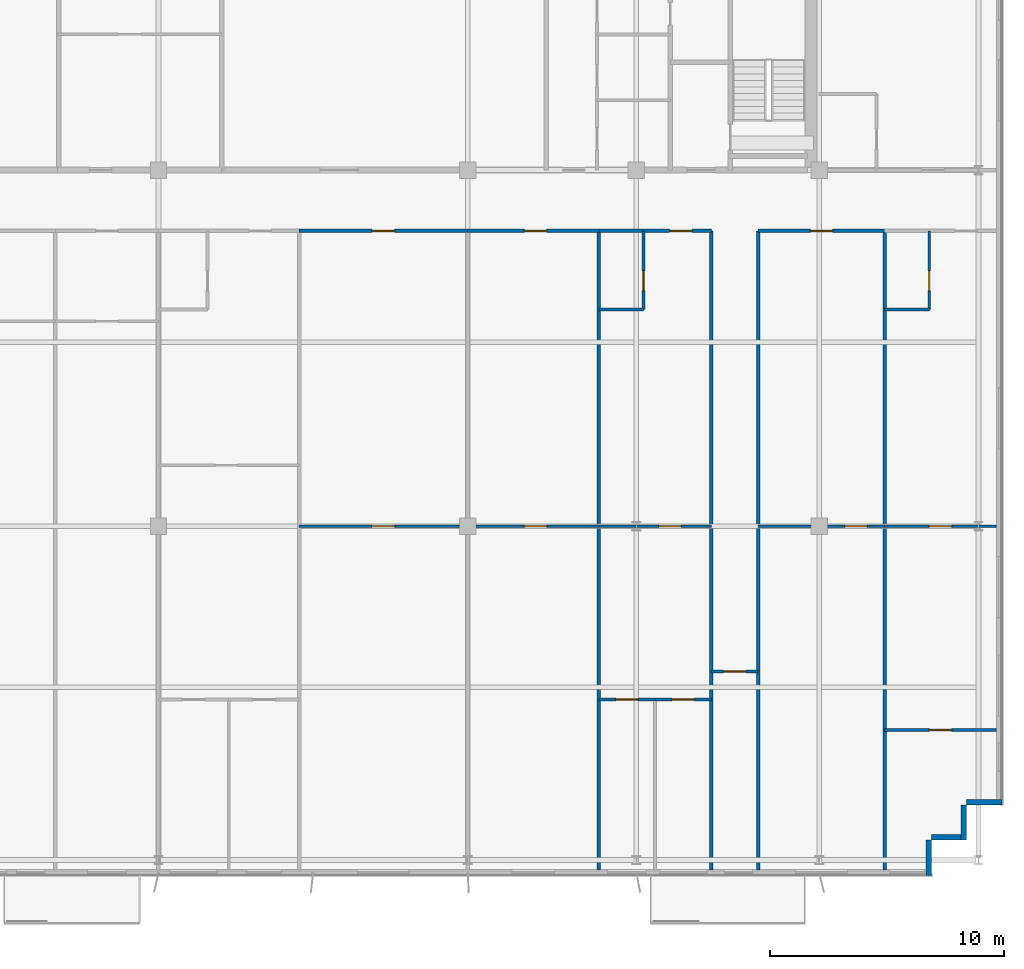
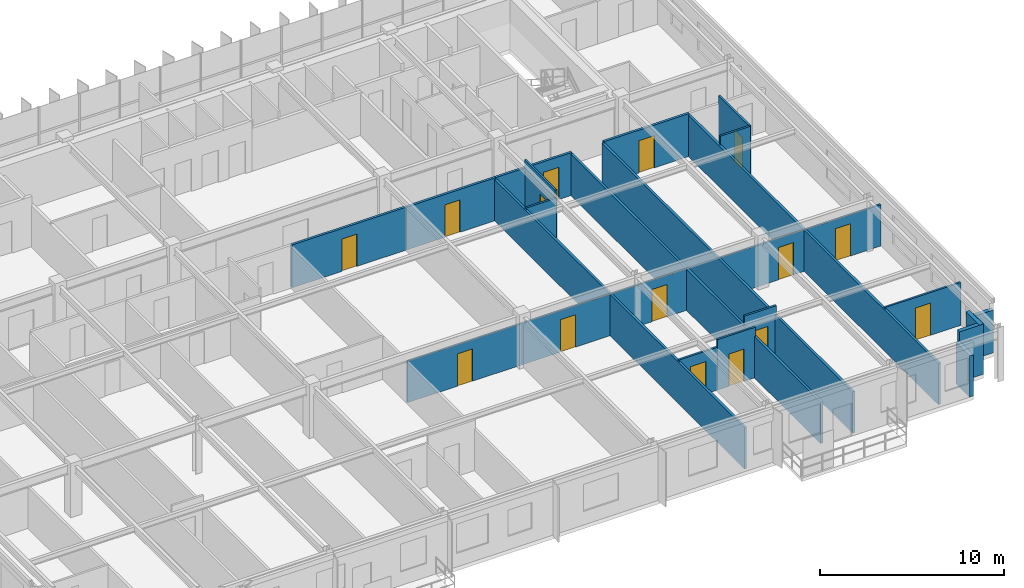
# One storey, part 16 of 21: 25 walls, 15 doors, 15 openings.
"""IFC4 building model written with IfcOpenShell, lengths in metres."""

from ifc_helpers import new_model, si_unit, direction, frame, frame_2d, origin, place, context, subcontext, project, spatial, rectangle, extrude, source, transform, mapped, material, layer, layer_set, type_object, element, fill, save


model = new_model("IFC4")

# Units and contexts
model_context = context("Model", 3, precision=1e-05, world=origin(), true_north=direction((0.0, 1.0)))
body_context = subcontext(model_context, "Body", "Model", "MODEL_VIEW")
ifc_project = project(units=[si_unit("LENGTHUNIT", "METRE"), si_unit("AREAUNIT", "SQUARE_METRE"), si_unit("VOLUMEUNIT", "CUBIC_METRE"), si_unit("PLANEANGLEUNIT", "RADIAN"), si_unit("MASSUNIT", "GRAM", prefix="KILO")], contexts=[model_context])

# Site, building, storey
site_placement = place(None, origin())
site = spatial("IfcSite", under=ifc_project, at=site_placement, CompositionType="ELEMENT")
building_placement = place(site_placement, origin())
building = spatial("IfcBuilding", under=site, at=building_placement, Name="Trelvane Seafront Commons", CompositionType="ELEMENT")
storey_placement = place(building_placement, frame((0.0, 0.0, 153.699951171875)))
storey = spatial("IfcBuildingStorey", under=building, at=storey_placement, Name="L40", CompositionType="ELEMENT", Elevation=153.699951171875)

# Walls
ifc_material_1 = material(Name="Precast concrete C40/50", Category="concrete")
ifc_layer_1 = layer(ifc_material_1, 0.239990234375, Name="ARCH-WALL-EXT240")
ifc_layer_set_1 = layer_set([ifc_layer_1], Name="Precast concrete C40/50")
wall_type_1 = type_object("IfcWallType", Name="ARCH-WALL-EXT240", PredefinedType="SOLIDWALL", material=ifc_layer_set_1)
wall_1_placement = place(storey_placement, frame((66.60009765625, 6.419921875, 0.0), z_axis=(0.0, 0.0, 1.0), x_axis=(-1.0, 0.0, 0.0)))
element("IfcWall", 1, at=wall_1_placement, inside=storey, type_object=wall_type_1, Name="EW-L40-00794", PredefinedType="SOLIDWALL", context=body_context, shape_type="SweptSolid", body=[
    extrude(rectangle(XDim=1.5, YDim=0.239990234375, at=frame_2d((0.75, 0.0))), origin(), (0.0, 0.0, 1.0), 2.85009765625),
])
for number, where, z_axis, x_axis, name in (
    (2, (64.97998046875, 6.300048828125, 0.0), (0.0, 0.0, 1.0), (0.0, -1.0, 0.0), "EW-L40-00795"),
    (3, (65.10009765625, 4.919921875, 0.0), (0.0, 0.0, 1.0), (-1.0, 0.0, 0.0), "EW-L40-00796"),
):
    element("IfcWall", number, at=place(storey_placement, frame(where, z_axis=z_axis, x_axis=x_axis)), inside=storey, type_object=wall_type_1, Name=name, PredefinedType="SOLIDWALL", context=body_context, shape_type="SweptSolid", body=[
        extrude(rectangle(XDim=1.5, YDim=0.239990234375, at=frame_2d((0.75, 0.0))), origin(), (0.0, 0.0, 1.0), 3.35009765625),
    ])
wall_2_placement = place(storey_placement, frame((63.47998046875, 4.800048828125, 0.0), z_axis=(0.0, 0.0, 1.0), x_axis=(0.0, -1.0, 0.0)))
element("IfcWall", 4, at=wall_2_placement, inside=storey, type_object=wall_type_1, Name="EW-L40-00797", PredefinedType="SOLIDWALL", context=body_context, shape_type="SweptSolid", body=[
    extrude(rectangle(XDim=1.5, YDim=0.239990234375, at=frame_2d((0.75, 0.0))), origin(), (0.0, 0.0, 1.0), 2.75),
])

# Wall, opening, door
ifc_material_2 = material(Name="Gypsum Drywall Acoustic Partition")
ifc_layer_2 = layer(ifc_material_2, 0.1201171875, Name="ARCH-WALL-PART120")
ifc_layer_set_2 = layer_set([ifc_layer_2], Name="Gypsum Drywall Acoustic Partition")
wall_type_2 = type_object("IfcWallType", Name="ARCH-WALL-PART120", PredefinedType="PARTITIONING", material=ifc_layer_set_2)
wall_3_placement = place(storey_placement, frame((36.60009765625, 18.199951171875, 0.0), z_axis=(0.0, 0.0, 1.0), x_axis=(1.0, 0.0, 0.0)))
wall_3 = element("IfcWall", 5, at=wall_3_placement, inside=storey, type_object=wall_type_2, Name="W-L40-U7-DIV-076", PredefinedType="PARTITIONING", context=body_context, shape_type="SweptSolid", body=[
    extrude(rectangle(XDim=7.199951171875, YDim=0.1201171875, at=frame_2d((3.60009765625, 0.0))), origin(), (0.0, 0.0, 1.0), 2.75),
])
opening_1_placement = place(wall_3_placement, frame((3.125, 0.0, 0.0)))
opening_1 = element("IfcOpeningElement", 6, at=opening_1_placement, cuts=wall_3, Name="Opening D-L40-46", PredefinedType="OPENING", context=body_context, shape_type="SweptSolid", body=[
    extrude(rectangle(XDim=0.949951171875, YDim=2.14990234375, at=frame_2d((0.47509765625, 1.074951171875))), frame((0.0, 0.070068359375, 0.0), z_axis=(0.0, -1.0, 0.0), x_axis=(1.0, 0.0, 0.0)), (0.0, 0.0, 1.0), 0.14013671875),
])
ifc_material_3 = material(Name="Acoustic timber door leaf", Category="wood")
door_type_1 = type_object("IfcDoorType", Name="ARCH-DR-INT950", OperationType="NOTDEFINED", PredefinedType="DOOR", material=ifc_material_3)
shared_shape_1 = source(origin(), body_context, "Body", "SweptSolid", [
    extrude(rectangle(XDim=0.949951171875, YDim=2.14990234375, at=frame_2d((0.47509765625, 1.074951171875))), frame((0.0, 0.02490234375, 0.0), z_axis=(0.0, -1.0, 0.0), x_axis=(1.0, 0.0, 0.0)), (0.0, 0.0, 1.0), 0.050048828125),
])
door_1_placement = place(opening_1_placement, origin())
door_1 = element("IfcDoor", 7, at=door_1_placement, inside=storey, type_object=door_type_1, Name="L40 Door 46", OperationType="SINGLE_SWING_RIGHT", OverallHeight=2.14990234375, OverallWidth=0.949951171875, PredefinedType="DOOR", context=body_context, shape_type="MappedRepresentation", body=[
    mapped(shared_shape_1, transform((0.0, 0.0, 0.0), x_axis=(1.0, 0.0, 0.0), y_axis=(0.0, 1.0, 0.0), z_axis=(0.0, 0.0, 1.0), scale=1.0)),
])
fill(opening_1, door_1)

wall_4_placement = place(storey_placement, frame((43.800048828125, 18.199951171875, 0.0), z_axis=(0.0, 0.0, 1.0), x_axis=(1.0, 0.0, 0.0)))
wall_4 = element("IfcWall", 8, at=wall_4_placement, inside=storey, type_object=wall_type_2, Name="W-L40-U8-DIV-078", PredefinedType="PARTITIONING", context=body_context, shape_type="SweptSolid", body=[
    extrude(rectangle(XDim=5.599853515625, YDim=0.1201171875, at=frame_2d((2.7998046875, 0.0))), origin(), (0.0, 0.0, 1.0), 2.75),
])
opening_2_placement = place(wall_4_placement, frame((2.41796875, 0.0, 0.0)))
opening_2 = element("IfcOpeningElement", 9, at=opening_2_placement, cuts=wall_4, Name="Opening D-L40-48", PredefinedType="OPENING", context=body_context, shape_type="SweptSolid", body=[
    extrude(rectangle(XDim=0.949951171875, YDim=2.14990234375, at=frame_2d((0.47509765625, 1.074951171875))), frame((0.0, 0.070068359375, 0.0), z_axis=(0.0, -1.0, 0.0), x_axis=(1.0, 0.0, 0.0)), (0.0, 0.0, 1.0), 0.14013671875),
])
door_2_placement = place(opening_2_placement, origin())
door_2 = element("IfcDoor", 10, at=door_2_placement, inside=storey, type_object=door_type_1, Name="L40 Door 48", OperationType="SINGLE_SWING_RIGHT", OverallHeight=2.14990234375, OverallWidth=0.949951171875, PredefinedType="DOOR", context=body_context, shape_type="MappedRepresentation", body=[
    mapped(shared_shape_1, transform((0.0, 0.0, 0.0), x_axis=(1.0, 0.0, 0.0), y_axis=(0.0, 1.0, 0.0), z_axis=(0.0, 0.0, 1.0), scale=1.0)),
])
fill(opening_2, door_2)

wall_5_placement = place(storey_placement, frame((49.39990234375, 18.199951171875, 0.0), z_axis=(0.0, 0.0, 1.0), x_axis=(1.0, 0.0, 0.0)))
wall_5 = element("IfcWall", 11, at=wall_5_placement, inside=storey, type_object=wall_type_2, Name="W-L40-U9-KL-079", PredefinedType="PARTITIONING", context=body_context, shape_type="SweptSolid", body=[
    extrude(rectangle(XDim=4.800048828125, YDim=0.1201171875, at=frame_2d((2.39990234375, 0.0))), origin(), (0.0, 0.0, 1.0), 2.75),
])
opening_3_placement = place(wall_5_placement, frame((2.56103515625, 0.0, 0.0)))
opening_3 = element("IfcOpeningElement", 12, at=opening_3_placement, cuts=wall_5, Name="Opening D-L40-49", PredefinedType="OPENING", context=body_context, shape_type="SweptSolid", body=[
    extrude(rectangle(XDim=0.949951171875, YDim=2.14990234375, at=frame_2d((0.47509765625, 1.074951171875))), frame((0.0, 0.070068359375, 0.0), z_axis=(0.0, -1.0, 0.0), x_axis=(1.0, 0.0, 0.0)), (0.0, 0.0, 1.0), 0.14013671875),
])
door_3_placement = place(opening_3_placement, origin())
door_3 = element("IfcDoor", 13, at=door_3_placement, inside=storey, type_object=door_type_1, Name="L40 Door 49", OperationType="SINGLE_SWING_LEFT", OverallHeight=2.14990234375, OverallWidth=0.949951171875, PredefinedType="DOOR", context=body_context, shape_type="MappedRepresentation", body=[
    mapped(shared_shape_1, transform((0.0, 0.0, 0.0), x_axis=(1.0, 0.0, 0.0), y_axis=(0.0, 1.0, 0.0), z_axis=(0.0, 0.0, 1.0), scale=1.0)),
])
fill(opening_3, door_3)

wall_6_placement = place(storey_placement, frame((51.300048828125, 27.449951171875, 0.0), z_axis=(0.0, 0.0, 1.0), x_axis=(0.0, 1.0, 0.0)))
wall_6 = element("IfcWall", 14, at=wall_6_placement, inside=storey, type_object=wall_type_2, Name="W-L40-U9-BE-080", PredefinedType="PARTITIONING", context=body_context, shape_type="SweptSolid", body=[
    extrude(rectangle(XDim=3.35009765625, YDim=0.1201171875, at=frame_2d((1.675048828125, 0.0))), origin(), (0.0, 0.0, 1.0), 3.35009765625),
])
opening_4_placement = place(wall_6_placement, frame((0.800048828125, 0.0, 0.0)))
opening_4 = element("IfcOpeningElement", 15, at=opening_4_placement, cuts=wall_6, Name="Opening D-L40-50", PredefinedType="OPENING", context=body_context, shape_type="SweptSolid", body=[
    extrude(rectangle(XDim=0.85009765625, YDim=2.10009765625, at=frame_2d((0.425048828125, 1.050048828125))), frame((0.0, 0.070068359375, 0.0), z_axis=(0.0, -1.0, 0.0), x_axis=(1.0, 0.0, 0.0)), (0.0, 0.0, 1.0), 0.14013671875),
])
door_type_2 = type_object("IfcDoorType", Name="ARCH-DR-INT850", OperationType="NOTDEFINED", PredefinedType="DOOR", material=ifc_material_3)
shared_shape_2 = source(origin(), body_context, "Body", "SweptSolid", [
    extrude(rectangle(XDim=0.85009765625, YDim=2.10009765625, at=frame_2d((0.425048828125, 1.050048828125))), frame((0.0, 0.02490234375, 0.0), z_axis=(0.0, -1.0, 0.0), x_axis=(1.0, 0.0, 0.0)), (0.0, 0.0, 1.0), 0.050048828125),
])
door_4_placement = place(opening_4_placement, origin())
door_4 = element("IfcDoor", 16, at=door_4_placement, inside=storey, type_object=door_type_2, Name="L40 Door 50", OperationType="SINGLE_SWING_RIGHT", OverallHeight=2.10009765625, OverallWidth=0.85009765625, PredefinedType="DOOR", context=body_context, shape_type="MappedRepresentation", body=[
    mapped(shared_shape_2, transform((0.0, 0.0, 0.0), x_axis=(1.0, 0.0, 0.0), y_axis=(0.0, 1.0, 0.0), z_axis=(0.0, 0.0, 1.0), scale=1.0)),
])
fill(opening_4, door_4)

# Wall
wall_7_placement = place(storey_placement, frame((49.39990234375, 27.449951171875, 0.0), z_axis=(0.0, 0.0, 1.0), x_axis=(1.0, 0.0, 0.0)))
element("IfcWall", 17, at=wall_7_placement, inside=storey, type_object=wall_type_2, Name="W-L40-U9-BS-081", PredefinedType="PARTITIONING", context=body_context, shape_type="SweptSolid", body=[
    extrude(rectangle(XDim=1.900146484375, YDim=0.1201171875, at=frame_2d((0.9501953125, 0.0))), origin(), (0.0, 0.0, 1.0), 2.85009765625),
])

# Wall, opening, door
wall_8_placement = place(storey_placement, frame((49.39990234375, 10.800048828125, 0.0), z_axis=(0.0, 0.0, 1.0), x_axis=(1.0, 0.0, 0.0)))
wall_8 = element("IfcWall", 18, at=wall_8_placement, inside=storey, type_object=wall_type_2, Name="W-L40-U9-YM-1-083", PredefinedType="PARTITIONING", context=body_context, shape_type="SweptSolid", body=[
    extrude(rectangle(XDim=2.400146484375, YDim=0.1201171875, at=frame_2d((1.2001953125, 0.0))), origin(), (0.0, 0.0, 1.0), 2.85009765625),
])
opening_5_placement = place(wall_8_placement, frame((0.72509765625, 0.0, 0.0)))
opening_5 = element("IfcOpeningElement", 19, at=opening_5_placement, cuts=wall_8, Name="Opening D-L40-52", PredefinedType="OPENING", context=body_context, shape_type="SweptSolid", body=[
    extrude(rectangle(XDim=0.949951171875, YDim=2.14990234375, at=frame_2d((0.47509765625, 1.074951171875))), frame((0.0, 0.070068359375, 0.0), z_axis=(0.0, -1.0, 0.0), x_axis=(1.0, 0.0, 0.0)), (0.0, 0.0, 1.0), 0.14013671875),
])
door_5_placement = place(opening_5_placement, origin())
door_5 = element("IfcDoor", 20, at=door_5_placement, inside=storey, type_object=door_type_1, Name="L40 Door 52", OperationType="SINGLE_SWING_RIGHT", OverallHeight=2.14990234375, OverallWidth=0.949951171875, PredefinedType="DOOR", context=body_context, shape_type="MappedRepresentation", body=[
    mapped(shared_shape_1, transform((0.0, 0.0, 0.0), x_axis=(1.0, 0.0, 0.0), y_axis=(0.0, 1.0, 0.0), z_axis=(0.0, 0.0, 1.0), scale=1.0)),
])
fill(opening_5, door_5)

wall_9_placement = place(storey_placement, frame((51.800048828125, 10.800048828125, 0.0), z_axis=(0.0, 0.0, 1.0), x_axis=(1.0, 0.0, 0.0)))
wall_9 = element("IfcWall", 21, at=wall_9_placement, inside=storey, type_object=wall_type_2, Name="W-L40-U9-YM-2-084", PredefinedType="PARTITIONING", context=body_context, shape_type="SweptSolid", body=[
    extrude(rectangle(XDim=2.39990234375, YDim=0.1201171875, at=frame_2d((1.199951171875, 0.0))), origin(), (0.0, 0.0, 1.0), 3.35009765625),
])
opening_6_placement = place(wall_9_placement, frame((0.72509765625, 0.0, 0.0)))
opening_6 = element("IfcOpeningElement", 22, at=opening_6_placement, cuts=wall_9, Name="Opening D-L40-53", PredefinedType="OPENING", context=body_context, shape_type="SweptSolid", body=[
    extrude(rectangle(XDim=0.949951171875, YDim=2.14990234375, at=frame_2d((0.47509765625, 1.074951171875))), frame((0.0, 0.070068359375, 0.0), z_axis=(0.0, -1.0, 0.0), x_axis=(1.0, 0.0, 0.0)), (0.0, 0.0, 1.0), 0.14013671875),
])
door_6_placement = place(opening_6_placement, origin())
door_6 = element("IfcDoor", 23, at=door_6_placement, inside=storey, type_object=door_type_1, Name="L40 Door 53", OperationType="SINGLE_SWING_LEFT", OverallHeight=2.14990234375, OverallWidth=0.949951171875, PredefinedType="DOOR", context=body_context, shape_type="MappedRepresentation", body=[
    mapped(shared_shape_1, transform((0.0, 0.0, 0.0), x_axis=(1.0, 0.0, 0.0), y_axis=(0.0, 1.0, 0.0), z_axis=(0.0, 0.0, 1.0), scale=1.0)),
])
fill(opening_6, door_6)

wall_10_placement = place(storey_placement, frame((54.199951171875, 12.0, 0.0), z_axis=(0.0, 0.0, 1.0), x_axis=(1.0, 0.0, 0.0)))
wall_10 = element("IfcWall", 24, at=wall_10_placement, inside=storey, type_object=wall_type_2, Name="W-L40-ARM-END-10-088", PredefinedType="PARTITIONING", context=body_context, shape_type="SweptSolid", body=[
    extrude(rectangle(XDim=2.0, YDim=0.1201171875, at=frame_2d((1.0, 0.0))), origin(), (0.0, 0.0, 1.0), 3.35009765625),
])
opening_7_placement = place(wall_10_placement, frame((0.52001953125, 0.0, 0.0)))
opening_7 = element("IfcOpeningElement", 25, at=opening_7_placement, cuts=wall_10, Name="Opening D-L40-54", PredefinedType="OPENING", context=body_context, shape_type="SweptSolid", body=[
    extrude(rectangle(XDim=0.949951171875, YDim=2.14990234375, at=frame_2d((0.47509765625, 1.074951171875))), frame((0.0, 0.070068359375, 0.0), z_axis=(0.0, -1.0, 0.0), x_axis=(1.0, 0.0, 0.0)), (0.0, 0.0, 1.0), 0.14013671875),
])
door_7_placement = place(opening_7_placement, origin())
door_7 = element("IfcDoor", 26, at=door_7_placement, inside=storey, type_object=door_type_1, Name="L40 Door 54", OperationType="SINGLE_SWING_RIGHT", OverallHeight=2.14990234375, OverallWidth=0.949951171875, PredefinedType="DOOR", context=body_context, shape_type="MappedRepresentation", body=[
    mapped(shared_shape_1, transform((0.0, 0.0, 0.0), x_axis=(1.0, 0.0, 0.0), y_axis=(0.0, 1.0, 0.0), z_axis=(0.0, 0.0, 1.0), scale=1.0)),
])
fill(opening_7, door_7)

wall_11_placement = place(storey_placement, frame((56.199951171875, 18.199951171875, 0.0), z_axis=(0.0, 0.0, 1.0), x_axis=(1.0, 0.0, 0.0)))
wall_11 = element("IfcWall", 27, at=wall_11_placement, inside=storey, type_object=wall_type_2, Name="W-L40-U11-DIV-090", PredefinedType="PARTITIONING", context=body_context, shape_type="SweptSolid", body=[
    extrude(rectangle(XDim=5.400146484375, YDim=0.1201171875, at=frame_2d((2.7001953125, 0.0))), origin(), (0.0, 0.0, 1.0), 2.75),
])
opening_8_placement = place(wall_11_placement, frame((3.700927734375, 0.0, 0.0)))
opening_8 = element("IfcOpeningElement", 28, at=opening_8_placement, cuts=wall_11, Name="Opening D-L40-56", PredefinedType="OPENING", context=body_context, shape_type="SweptSolid", body=[
    extrude(rectangle(XDim=0.949951171875, YDim=2.14990234375, at=frame_2d((0.47509765625, 1.074951171875))), frame((0.0, 0.070068359375, 0.0), z_axis=(0.0, -1.0, 0.0), x_axis=(1.0, 0.0, 0.0)), (0.0, 0.0, 1.0), 0.14013671875),
])
door_8_placement = place(opening_8_placement, origin())
door_8 = element("IfcDoor", 29, at=door_8_placement, inside=storey, type_object=door_type_1, Name="L40 Door 56", OperationType="SINGLE_SWING_RIGHT", OverallHeight=2.14990234375, OverallWidth=0.949951171875, PredefinedType="DOOR", context=body_context, shape_type="MappedRepresentation", body=[
    mapped(shared_shape_1, transform((0.0, 0.0, 0.0), x_axis=(1.0, 0.0, 0.0), y_axis=(0.0, 1.0, 0.0), z_axis=(0.0, 0.0, 1.0), scale=1.0)),
])
fill(opening_8, door_8)

wall_12_placement = place(storey_placement, frame((61.60009765625, 18.199951171875, 0.0), z_axis=(0.0, 0.0, 1.0), x_axis=(1.0, 0.0, 0.0)))
wall_12 = element("IfcWall", 30, at=wall_12_placement, inside=storey, type_object=wall_type_2, Name="W-L40-U12-KL-091", PredefinedType="PARTITIONING", context=body_context, shape_type="SweptSolid", body=[
    extrude(rectangle(XDim=4.760009765625, YDim=0.1201171875, at=frame_2d((2.3798828125, 0.0))), origin(), (0.0, 0.0, 1.0), 2.75),
])
opening_9_placement = place(wall_12_placement, frame((1.905029296875, 0.0, 0.0)))
opening_9 = element("IfcOpeningElement", 31, at=opening_9_placement, cuts=wall_12, Name="Opening D-L40-57", PredefinedType="OPENING", context=body_context, shape_type="SweptSolid", body=[
    extrude(rectangle(XDim=0.949951171875, YDim=2.14990234375, at=frame_2d((0.47509765625, 1.074951171875))), frame((0.0, 0.070068359375, 0.0), z_axis=(0.0, -1.0, 0.0), x_axis=(1.0, 0.0, 0.0)), (0.0, 0.0, 1.0), 0.14013671875),
])
door_9_placement = place(opening_9_placement, origin())
door_9 = element("IfcDoor", 32, at=door_9_placement, inside=storey, type_object=door_type_1, Name="L40 Door 57", OperationType="SINGLE_SWING_LEFT", OverallHeight=2.14990234375, OverallWidth=0.949951171875, PredefinedType="DOOR", context=body_context, shape_type="MappedRepresentation", body=[
    mapped(shared_shape_1, transform((0.0, 0.0, 0.0), x_axis=(1.0, 0.0, 0.0), y_axis=(0.0, 1.0, 0.0), z_axis=(0.0, 0.0, 1.0), scale=1.0)),
])
fill(opening_9, door_9)

wall_13_placement = place(storey_placement, frame((63.5, 27.449951171875, 0.0), z_axis=(0.0, 0.0, 1.0), x_axis=(0.0, 1.0, 0.0)))
wall_13 = element("IfcWall", 33, at=wall_13_placement, inside=storey, type_object=wall_type_2, Name="W-L40-U12-BE-092", PredefinedType="PARTITIONING", context=body_context, shape_type="SweptSolid", body=[
    extrude(rectangle(XDim=3.35009765625, YDim=0.1201171875, at=frame_2d((1.675048828125, 0.0))), origin(), (0.0, 0.0, 1.0), 3.35009765625),
])
opening_10_placement = place(wall_13_placement, frame((0.800048828125, 0.0, 0.0)))
opening_10 = element("IfcOpeningElement", 34, at=opening_10_placement, cuts=wall_13, Name="Opening D-L40-58", PredefinedType="OPENING", context=body_context, shape_type="SweptSolid", body=[
    extrude(rectangle(XDim=0.85009765625, YDim=2.10009765625, at=frame_2d((0.425048828125, 1.050048828125))), frame((0.0, 0.070068359375, 0.0), z_axis=(0.0, -1.0, 0.0), x_axis=(1.0, 0.0, 0.0)), (0.0, 0.0, 1.0), 0.14013671875),
])
door_10_placement = place(opening_10_placement, origin())
door_10 = element("IfcDoor", 35, at=door_10_placement, inside=storey, type_object=door_type_2, Name="L40 Door 58", OperationType="SINGLE_SWING_RIGHT", OverallHeight=2.10009765625, OverallWidth=0.85009765625, PredefinedType="DOOR", context=body_context, shape_type="MappedRepresentation", body=[
    mapped(shared_shape_2, transform((0.0, 0.0, 0.0), x_axis=(1.0, 0.0, 0.0), y_axis=(0.0, 1.0, 0.0), z_axis=(0.0, 0.0, 1.0), scale=1.0)),
])
fill(opening_10, door_10)

# Wall
wall_14_placement = place(storey_placement, frame((61.60009765625, 27.449951171875, 0.0), z_axis=(0.0, 0.0, 1.0), x_axis=(1.0, 0.0, 0.0)))
element("IfcWall", 36, at=wall_14_placement, inside=storey, type_object=wall_type_2, Name="W-L40-U12-BS-093", PredefinedType="PARTITIONING", context=body_context, shape_type="SweptSolid", body=[
    extrude(rectangle(XDim=1.89990234375, YDim=0.1201171875, at=frame_2d((0.949951171875, 0.0))), origin(), (0.0, 0.0, 1.0), 3.35009765625),
])

# Wall, opening, door
wall_15_placement = place(storey_placement, frame((61.60009765625, 9.5, 0.0), z_axis=(0.0, 0.0, 1.0), x_axis=(1.0, 0.0, 0.0)))
wall_15 = element("IfcWall", 37, at=wall_15_placement, inside=storey, type_object=wall_type_2, Name="W-L40-U12-YM-1-095", PredefinedType="PARTITIONING", context=body_context, shape_type="SweptSolid", body=[
    extrude(rectangle(XDim=4.760009765625, YDim=0.1201171875, at=frame_2d((2.3798828125, 0.0))), origin(), (0.0, 0.0, 1.0), 2.85009765625),
])
opening_11_placement = place(wall_15_placement, frame((1.905029296875, 0.0, 0.0)))
opening_11 = element("IfcOpeningElement", 38, at=opening_11_placement, cuts=wall_15, Name="Opening D-L40-60", PredefinedType="OPENING", context=body_context, shape_type="SweptSolid", body=[
    extrude(rectangle(XDim=0.949951171875, YDim=2.14990234375, at=frame_2d((0.47509765625, 1.074951171875))), frame((0.0, 0.070068359375, 0.0), z_axis=(0.0, -1.0, 0.0), x_axis=(1.0, 0.0, 0.0)), (0.0, 0.0, 1.0), 0.14013671875),
])
door_11_placement = place(opening_11_placement, origin())
door_11 = element("IfcDoor", 39, at=door_11_placement, inside=storey, type_object=door_type_1, Name="L40 Door 60", OperationType="SINGLE_SWING_RIGHT", OverallHeight=2.14990234375, OverallWidth=0.949951171875, PredefinedType="DOOR", context=body_context, shape_type="MappedRepresentation", body=[
    mapped(shared_shape_1, transform((0.0, 0.0, 0.0), x_axis=(1.0, 0.0, 0.0), y_axis=(0.0, 1.0, 0.0), z_axis=(0.0, 0.0, 1.0), scale=1.0)),
])
fill(opening_11, door_11)

# Walls
ifc_layer_3 = layer(ifc_material_2, 0.14990234375, Name="ARCH-WALL-PART150")
ifc_layer_set_3 = layer_set([ifc_layer_3], Name="Gypsum Drywall Acoustic Partition")
wall_type_3 = type_object("IfcWallType", Name="ARCH-WALL-PART150", PredefinedType="PARTITIONING", material=ifc_layer_set_3)
for number, where, z_axis, x_axis, name in (
    (40, (49.39990234375, 3.52490234375, 0.0), (0.0, 0.0, 1.0), (0.0, 1.0, 0.0), "W-L40-PW-8-052"),
    (41, (61.60009765625, 3.52490234375, 0.0), (0.0, 0.0, 1.0), (0.0, 1.0, 0.0), "W-L40-PW-11-053"),
):
    element("IfcWall", number, at=place(storey_placement, frame(where, z_axis=z_axis, x_axis=x_axis)), inside=storey, type_object=wall_type_3, Name=name, PredefinedType="PARTITIONING", context=body_context, shape_type="SweptSolid", body=[
        extrude(rectangle(XDim=27.275146484375, YDim=0.14990234375, at=frame_2d((13.6376953125, 0.0))), origin(), (0.0, 0.0, 1.0), 2.75),
    ])

# Wall, opening, door
wall_16_placement = place(storey_placement, frame((36.60009765625, 30.800048828125, 0.0), z_axis=(0.0, 0.0, 1.0), x_axis=(1.0, 0.0, 0.0)))
wall_16 = element("IfcWall", 42, at=wall_16_placement, inside=storey, type_object=wall_type_3, Name="W-L40-CS-BAY-7-075", PredefinedType="PARTITIONING", context=body_context, shape_type="SweptSolid", body=[
    extrude(rectangle(XDim=7.199951171875, YDim=0.14990234375, at=frame_2d((3.60009765625, 0.0))), origin(), (0.0, 0.0, 1.0), 2.85009765625),
])
opening_12_placement = place(wall_16_placement, frame((3.125, 0.0, 0.0)))
opening_12 = element("IfcOpeningElement", 43, at=opening_12_placement, cuts=wall_16, Name="Opening FD-L40-45", PredefinedType="OPENING", context=body_context, shape_type="SweptSolid", body=[
    extrude(rectangle(XDim=0.949951171875, YDim=2.14990234375, at=frame_2d((0.47509765625, 1.074951171875))), frame((0.0, 0.0849609375, 0.0), z_axis=(0.0, -1.0, 0.0), x_axis=(1.0, 0.0, 0.0)), (0.0, 0.0, 1.0), 0.169921875),
])
ifc_material_4 = material(Name="Powder-coated aluminium frame", Category="aluminium")
door_type_3 = type_object("IfcDoorType", Name="ARCH-DR-FD60-950", OperationType="NOTDEFINED", PredefinedType="DOOR", material=ifc_material_4)
door_12_placement = place(opening_12_placement, origin())
door_12 = element("IfcDoor", 44, at=door_12_placement, inside=storey, type_object=door_type_3, Name="L40 Bay 07 Entrance Door", OperationType="SINGLE_SWING_LEFT", OverallHeight=2.14990234375, OverallWidth=0.949951171875, PredefinedType="DOOR", context=body_context, shape_type="MappedRepresentation", body=[
    mapped(shared_shape_1, transform((0.0, 0.0, 0.0), x_axis=(1.0, 0.0, 0.0), y_axis=(0.0, 1.0, 0.0), z_axis=(0.0, 0.0, 1.0), scale=1.0)),
])
fill(opening_12, door_12)

wall_17_placement = place(storey_placement, frame((43.800048828125, 30.800048828125, 0.0), z_axis=(0.0, 0.0, 1.0), x_axis=(1.0, 0.0, 0.0)))
wall_17 = element("IfcWall", 45, at=wall_17_placement, inside=storey, type_object=wall_type_3, Name="W-L40-CS-BAY-8-077", PredefinedType="PARTITIONING", context=body_context, shape_type="SweptSolid", body=[
    extrude(rectangle(XDim=5.599853515625, YDim=0.14990234375, at=frame_2d((2.7998046875, 0.0))), origin(), (0.0, 0.0, 1.0), 2.85009765625),
])
opening_13_placement = place(wall_17_placement, frame((2.41796875, 0.0, 0.0)))
opening_13 = element("IfcOpeningElement", 46, at=opening_13_placement, cuts=wall_17, Name="Opening FD-L40-47", PredefinedType="OPENING", context=body_context, shape_type="SweptSolid", body=[
    extrude(rectangle(XDim=0.949951171875, YDim=2.14990234375, at=frame_2d((0.47509765625, 1.074951171875))), frame((0.0, 0.0849609375, 0.0), z_axis=(0.0, -1.0, 0.0), x_axis=(1.0, 0.0, 0.0)), (0.0, 0.0, 1.0), 0.169921875),
])
door_13_placement = place(opening_13_placement, origin())
door_13 = element("IfcDoor", 47, at=door_13_placement, inside=storey, type_object=door_type_3, Name="L40 Bay 08 Entrance Door", OperationType="SINGLE_SWING_LEFT", OverallHeight=2.14990234375, OverallWidth=0.949951171875, PredefinedType="DOOR", context=body_context, shape_type="MappedRepresentation", body=[
    mapped(shared_shape_1, transform((0.0, 0.0, 0.0), x_axis=(1.0, 0.0, 0.0), y_axis=(0.0, 1.0, 0.0), z_axis=(0.0, 0.0, 1.0), scale=1.0)),
])
fill(opening_13, door_13)

wall_18_placement = place(storey_placement, frame((49.39990234375, 30.800048828125, 0.0), z_axis=(0.0, 0.0, 1.0), x_axis=(1.0, 0.0, 0.0)))
wall_18 = element("IfcWall", 48, at=wall_18_placement, inside=storey, type_object=wall_type_3, Name="W-L40-CS-BAY-9-082", PredefinedType="PARTITIONING", context=body_context, shape_type="SweptSolid", body=[
    extrude(rectangle(XDim=4.800048828125, YDim=0.14990234375, at=frame_2d((2.39990234375, 0.0))), origin(), (0.0, 0.0, 1.0), 2.85009765625),
])
opening_14_placement = place(wall_18_placement, frame((3.01904296875, 0.0, 0.0)))
opening_14 = element("IfcOpeningElement", 49, at=opening_14_placement, cuts=wall_18, Name="Opening FD-L40-51", PredefinedType="OPENING", context=body_context, shape_type="SweptSolid", body=[
    extrude(rectangle(XDim=0.949951171875, YDim=2.14990234375, at=frame_2d((0.47509765625, 1.074951171875))), frame((0.0, 0.0849609375, 0.0), z_axis=(0.0, -1.0, 0.0), x_axis=(1.0, 0.0, 0.0)), (0.0, 0.0, 1.0), 0.169921875),
])
door_14_placement = place(opening_14_placement, origin())
door_14 = element("IfcDoor", 50, at=door_14_placement, inside=storey, type_object=door_type_3, Name="L40 Unit 09 Entrance Door", OperationType="SINGLE_SWING_LEFT", OverallHeight=2.14990234375, OverallWidth=0.949951171875, PredefinedType="DOOR", context=body_context, shape_type="MappedRepresentation", body=[
    mapped(shared_shape_1, transform((0.0, 0.0, 0.0), x_axis=(1.0, 0.0, 0.0), y_axis=(0.0, 1.0, 0.0), z_axis=(0.0, 0.0, 1.0), scale=1.0)),
])
fill(opening_14, door_14)

# Walls
for number, where, z_axis, x_axis, name in (
    (51, (54.199951171875, 3.52490234375, 0.0), (0.0, 0.0, 1.0), (0.0, 1.0, 0.0), "W-L40-ARM-W-10-086"),
    (52, (56.199951171875, 3.52490234375, 0.0), (0.0, 0.0, 1.0), (0.0, 1.0, 0.0), "W-L40-ARM-E-10-087"),
):
    element("IfcWall", number, at=place(storey_placement, frame(where, z_axis=z_axis, x_axis=x_axis)), inside=storey, type_object=wall_type_3, Name=name, PredefinedType="PARTITIONING", context=body_context, shape_type="SweptSolid", body=[
        extrude(rectangle(XDim=27.275146484375, YDim=0.14990234375, at=frame_2d((13.6376953125, 0.0))), origin(), (0.0, 0.0, 1.0), 2.75),
    ])

# Wall, opening, door
wall_19_placement = place(storey_placement, frame((56.199951171875, 30.800048828125, 0.0), z_axis=(0.0, 0.0, 1.0), x_axis=(1.0, 0.0, 0.0)))
wall_19 = element("IfcWall", 53, at=wall_19_placement, inside=storey, type_object=wall_type_3, Name="W-L40-CS-BAY-11-089", PredefinedType="PARTITIONING", context=body_context, shape_type="SweptSolid", body=[
    extrude(rectangle(XDim=5.400146484375, YDim=0.14990234375, at=frame_2d((2.7001953125, 0.0))), origin(), (0.0, 0.0, 1.0), 2.85009765625),
])
opening_15_placement = place(wall_19_placement, frame((2.22509765625, 0.0, 0.0)))
opening_15 = element("IfcOpeningElement", 54, at=opening_15_placement, cuts=wall_19, Name="Opening FD-L40-55", PredefinedType="OPENING", context=body_context, shape_type="SweptSolid", body=[
    extrude(rectangle(XDim=0.949951171875, YDim=2.14990234375, at=frame_2d((0.47509765625, 1.074951171875))), frame((0.0, 0.0849609375, 0.0), z_axis=(0.0, -1.0, 0.0), x_axis=(1.0, 0.0, 0.0)), (0.0, 0.0, 1.0), 0.169921875),
])
door_15_placement = place(opening_15_placement, origin())
door_15 = element("IfcDoor", 55, at=door_15_placement, inside=storey, type_object=door_type_3, Name="L40 Bay 11 Entrance Door", OperationType="SINGLE_SWING_LEFT", OverallHeight=2.14990234375, OverallWidth=0.949951171875, PredefinedType="DOOR", context=body_context, shape_type="MappedRepresentation", body=[
    mapped(shared_shape_1, transform((0.0, 0.0, 0.0), x_axis=(1.0, 0.0, 0.0), y_axis=(0.0, 1.0, 0.0), z_axis=(0.0, 0.0, 1.0), scale=1.0)),
])
fill(opening_15, door_15)

save(model, "model.ifc")
